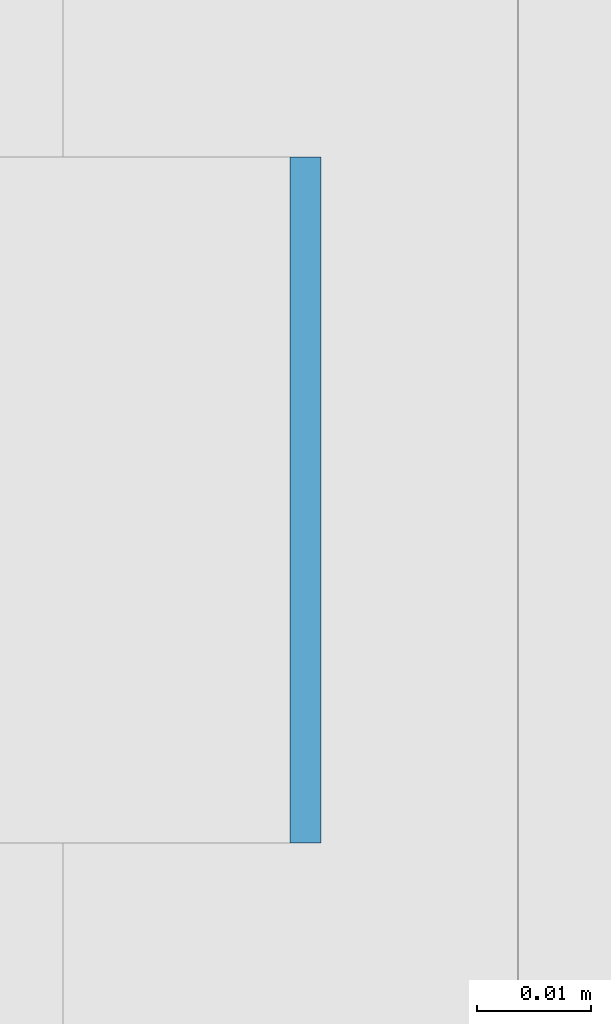
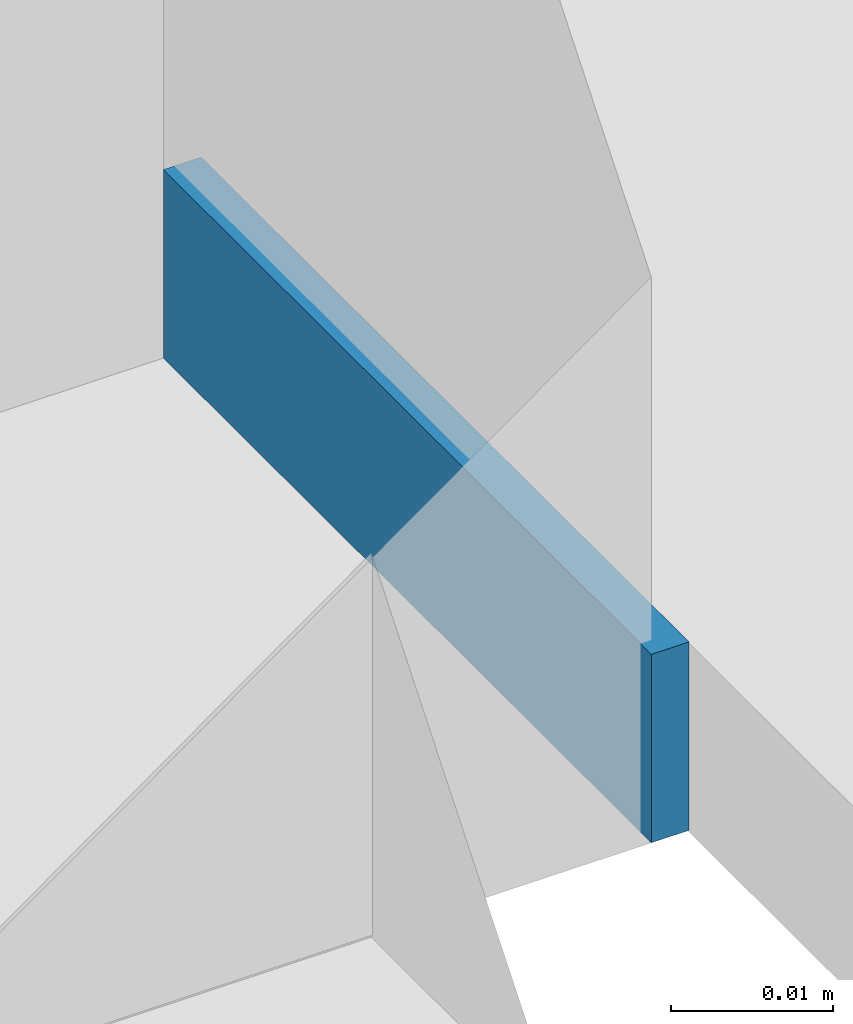
# One storey, part 336 of 646: 1 discrete accessory.
"""IFC4 building model written with IfcOpenShell, lengths in metres."""

from ifc_helpers import new_model, si_unit, direction, frame, origin, origin_2d, place, context, subcontext, project, spatial, rectangle, extrude, material, type_object, element, save


model = new_model("IFC4")

# Units and contexts
model_context = context("Model", 3, precision=1e-05, world=origin(), true_north=direction((0.0, 1.0)))
body_context = subcontext(model_context, "Body", "Model", "MODEL_VIEW")
ifc_project = project(units=[si_unit("LENGTHUNIT", "METRE"), si_unit("AREAUNIT", "SQUARE_METRE"), si_unit("VOLUMEUNIT", "CUBIC_METRE"), si_unit("PLANEANGLEUNIT", "RADIAN"), si_unit("MASSUNIT", "GRAM", prefix="KILO")], contexts=[model_context])

# Site, building, storey
site_placement = place(None, origin())
site = spatial("IfcSite", under=ifc_project, at=site_placement, CompositionType="ELEMENT")
building_placement = place(site_placement, origin())
building = spatial("IfcBuilding", under=site, at=building_placement, Name="Silverbay Arena", CompositionType="ELEMENT")
storey_placement = place(building_placement, frame((0.0, 0.0, 33.5)))
storey = spatial("IfcBuildingStorey", under=building, at=storey_placement, Name="L05", CompositionType="ELEMENT", Elevation=33.5)

# Discrete accessory
ifc_material = material(Name="Steel S355", Category="steel")
discrete_accessory_type = type_object("IfcDiscreteAccessoryType", Name="Steel bracket plate", PredefinedType="BRACKET", material=ifc_material)
discrete_accessory_placement = place(storey_placement, frame((53.871337890625, 82.28564453125, 4.0), z_axis=(0.0, 0.0, 1.0), x_axis=(1.0, 0.0, 0.0)))
element("IfcDiscreteAccessory", 1, at=discrete_accessory_placement, inside=storey, type_object=discrete_accessory_type, Name="Curtain wall packing plate", PredefinedType="BRACKET", context=body_context, shape_type="SweptSolid", body=[
    extrude(rectangle(XDim=0.002685546875, YDim=0.06005859375, at=origin_2d()), origin(), (0.0, 0.0, 1.0), 0.01416015625),
])

save(model, "model.ifc")
